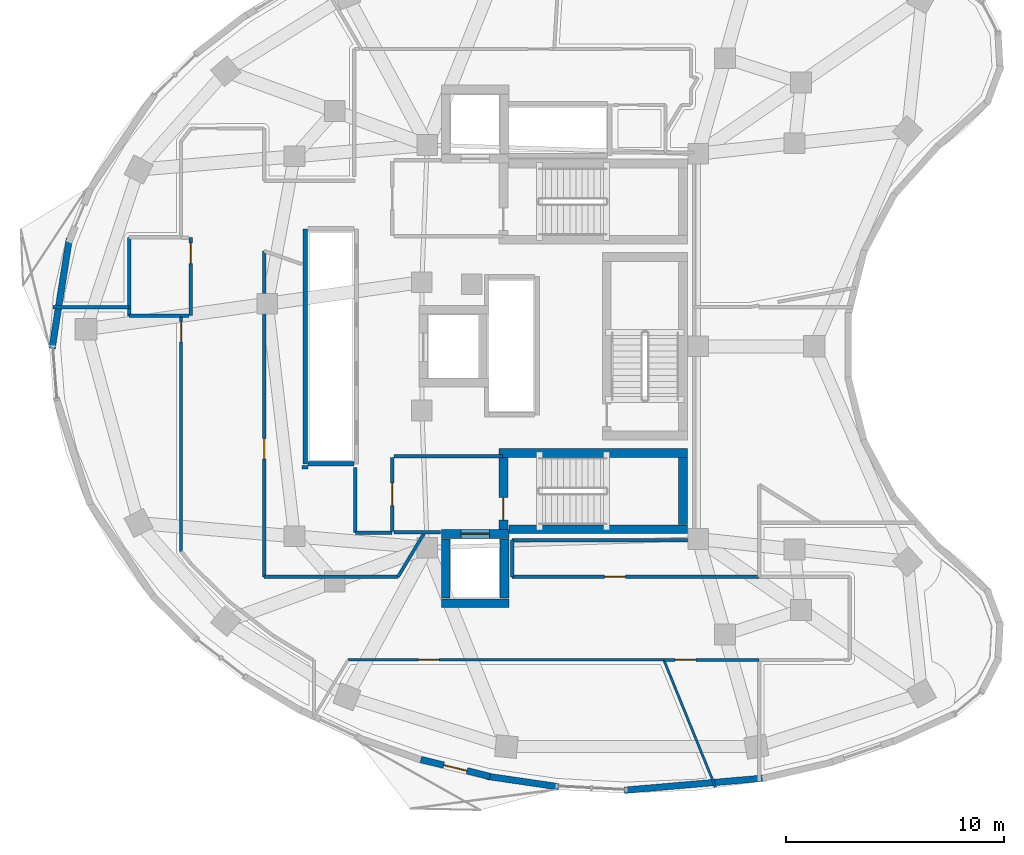
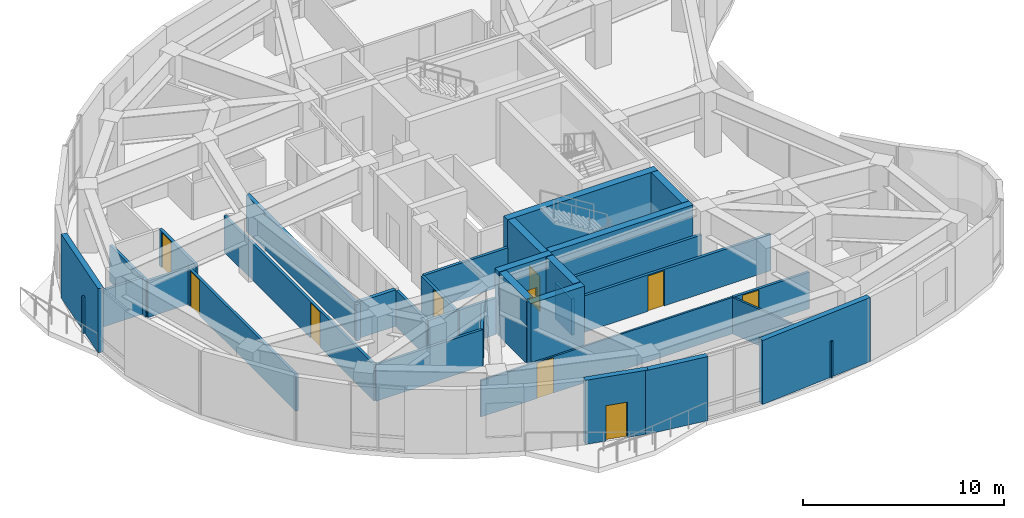
# One storey, part 6 of 12: 35 walls, 10 doors, 10 openings.
"""IFC4 building model written with IfcOpenShell, lengths in metres."""

from ifc_helpers import new_model, si_unit, direction, frame, frame_2d, origin, place, context, subcontext, project, spatial, rectangle, extrude, material, layer, layer_set, type_object, element, fill, save


model = new_model("IFC4")

# Units and contexts
model_context = context("Model", 3, precision=1e-05, world=origin(), true_north=direction((0.0, 1.0)))
body_context = subcontext(model_context, "Body", "Model", "MODEL_VIEW")
ifc_project = project(units=[si_unit("LENGTHUNIT", "METRE"), si_unit("AREAUNIT", "SQUARE_METRE"), si_unit("VOLUMEUNIT", "CUBIC_METRE"), si_unit("PLANEANGLEUNIT", "RADIAN"), si_unit("MASSUNIT", "GRAM", prefix="KILO")], contexts=[model_context])

# Site, building, storey
site_placement = place(None, origin())
site = spatial("IfcSite", under=ifc_project, at=site_placement, CompositionType="ELEMENT")
building_placement = place(site_placement, origin())
building = spatial("IfcBuilding", under=site, at=building_placement, Name="Korentha Bioscience Tower", CompositionType="ELEMENT")
storey_placement = place(building_placement, frame((0.0, 0.0, 196.199951171875)))
storey = spatial("IfcBuildingStorey", under=building, at=storey_placement, Name="L45", CompositionType="ELEMENT", Elevation=196.199951171875)

# Wall, opening, door
ifc_material_1 = material(Name="Double-Stud Acoustic Gypsum", Category="gypsum")
ifc_layer_1 = layer(ifc_material_1, 0.14990234375, Name="Double-Stud Acoustic Gypsum")
ifc_layer_set_1 = layer_set([ifc_layer_1], Name="Double-Stud Acoustic Gypsum (IW-L150)")
wall_type_1 = type_object("IfcWallType", Name="Acoustic Laboratory Partition Wall 150", PredefinedType="PARTITIONING", material=ifc_layer_set_1)
wall_1_placement = place(storey_placement, frame((13.7900390625, 28.389892578125, 0.0), z_axis=(0.0, 0.0, 1.0), x_axis=(0.0, -1.0, 0.0)))
wall_1 = element("IfcWall", 1, at=wall_1_placement, inside=storey, type_object=wall_type_1, Name="L45 Biomechanical Motion Analysis Lab 01 Entrance Wall", PredefinedType="PARTITIONING", context=body_context, shape_type="SweptSolid", body=[
    extrude(rectangle(XDim=10.807373046875, YDim=0.14990234375, at=frame_2d((5.40380859375, 0.0))), origin(), (0.0, 0.0, 1.0), 2.219970703125),
])
opening_1_placement = place(wall_1_placement, frame((0.239990234375, 0.0, 0.0)))
opening_1 = element("IfcOpeningElement", 2, at=opening_1_placement, cuts=wall_1, Name="Opening ID-10R", PredefinedType="OPENING", context=body_context, shape_type="SweptSolid", body=[
    extrude(rectangle(XDim=0.949951171875, YDim=2.14990234375, at=frame_2d((0.47509765625, 1.074951171875))), frame((0.0, 0.08984375, 0.0), z_axis=(0.0, -1.0, 0.0), x_axis=(1.0, 0.0, 0.0)), (0.0, 0.0, 1.0), 0.1796875),
])
ifc_material_2 = material(Name="Phenolic Laminate Timber Core", Category="wood")
door_type_1 = type_object("IfcDoorType", Name="Laboratory Single Leaf Door 950x2150 Right", OperationType="SINGLE_SWING_RIGHT", PredefinedType="DOOR", material=ifc_material_2)
door_1_placement = place(opening_1_placement, origin())
door_1 = element("IfcDoor", 3, at=door_1_placement, inside=storey, type_object=door_type_1, Name="L45 Biomechanical Motion Analysis Lab 01 Door", OperationType="SINGLE_SWING_RIGHT", OverallHeight=2.14990234375, OverallWidth=0.949951171875, PredefinedType="DOOR", context=body_context, shape_type="SweptSolid", body=[
    extrude(rectangle(XDim=0.949951171875, YDim=2.14990234375, at=frame_2d((0.47509765625, 1.074951171875))), frame((0.0, 0.02490234375, 0.0), z_axis=(0.0, -1.0, 0.0), x_axis=(1.0, 0.0, 0.0)), (0.0, 0.0, 1.0), 0.050048828125),
])
fill(opening_1, door_1)

wall_2_placement = place(storey_placement, frame((17.610107421875, 16.409912109375, 0.0), z_axis=(0.0, 0.0, 1.0), x_axis=(0.0, 1.0, 0.0)))
wall_2 = element("IfcWall", 4, at=wall_2_placement, inside=storey, type_object=wall_type_1, Name="L45 Principal Investigator Office 02 Entrance Wall", PredefinedType="PARTITIONING", context=body_context, shape_type="SweptSolid", body=[
    extrude(rectangle(XDim=14.968994140625, YDim=0.14990234375, at=frame_2d((7.484375, 0.0))), origin(), (0.0, 0.0, 1.0), 2.219970703125),
])
opening_2_placement = place(wall_2_placement, frame((5.40380859375, 0.0, 0.0)))
opening_2 = element("IfcOpeningElement", 5, at=opening_2_placement, cuts=wall_2, Name="Opening ID-10L", PredefinedType="OPENING", context=body_context, shape_type="SweptSolid", body=[
    extrude(rectangle(XDim=0.949951171875, YDim=2.14990234375, at=frame_2d((0.47509765625, 1.074951171875))), frame((0.0, 0.08984375, 0.0), z_axis=(0.0, -1.0, 0.0), x_axis=(1.0, 0.0, 0.0)), (0.0, 0.0, 1.0), 0.1796875),
])
door_type_2 = type_object("IfcDoorType", Name="Laboratory Single Leaf Door 950x2150 Left", OperationType="SINGLE_SWING_LEFT", PredefinedType="DOOR", material=ifc_material_2)
door_2_placement = place(opening_2_placement, origin())
door_2 = element("IfcDoor", 6, at=door_2_placement, inside=storey, type_object=door_type_2, Name="L45 Principal Investigator Office 02 Door", OperationType="SINGLE_SWING_LEFT", OverallHeight=2.14990234375, OverallWidth=0.949951171875, PredefinedType="DOOR", context=body_context, shape_type="SweptSolid", body=[
    extrude(rectangle(XDim=0.949951171875, YDim=2.14990234375, at=frame_2d((0.47509765625, 1.074951171875))), frame((0.0, 0.02490234375, 0.0), z_axis=(0.0, -1.0, 0.0), x_axis=(1.0, 0.0, 0.0)), (0.0, 0.0, 1.0), 0.050048828125),
])
fill(opening_2, door_2)

wall_3_placement = place(storey_placement, frame((35.980224609375, 12.590087890625, 0.0), z_axis=(0.0, 0.0, 1.0), x_axis=(1.0, 0.0, 0.0)))
wall_3 = element("IfcWall", 7, at=wall_3_placement, inside=storey, type_object=wall_type_1, Name="L45 Staff Pantry Kitchenette 04 Entrance Wall", PredefinedType="PARTITIONING", context=body_context, shape_type="SweptSolid", body=[
    extrude(rectangle(XDim=4.36767578125, YDim=0.14990234375, at=frame_2d((2.183837890625, 0.0))), origin(), (0.0, 0.0, 1.0), 2.219970703125),
])
opening_3_placement = place(wall_3_placement, frame((0.50830078125, 0.0, 0.0)))
opening_3 = element("IfcOpeningElement", 8, at=opening_3_placement, cuts=wall_3, Name="Opening ID-10L", PredefinedType="OPENING", context=body_context, shape_type="SweptSolid", body=[
    extrude(rectangle(XDim=0.949951171875, YDim=2.14990234375, at=frame_2d((0.47509765625, 1.074951171875))), frame((0.0, 0.08984375, 0.0), z_axis=(0.0, -1.0, 0.0), x_axis=(1.0, 0.0, 0.0)), (0.0, 0.0, 1.0), 0.1796875),
])
door_3_placement = place(opening_3_placement, origin())
door_3 = element("IfcDoor", 9, at=door_3_placement, inside=storey, type_object=door_type_2, Name="L45 Staff Pantry Kitchenette 04 Door", OperationType="SINGLE_SWING_LEFT", OverallHeight=2.14990234375, OverallWidth=0.949951171875, PredefinedType="DOOR", context=body_context, shape_type="SweptSolid", body=[
    extrude(rectangle(XDim=0.949951171875, YDim=2.14990234375, at=frame_2d((0.47509765625, 1.074951171875))), frame((0.0, 0.02490234375, 0.0), z_axis=(0.0, -1.0, 0.0), x_axis=(1.0, 0.0, 0.0)), (0.0, 0.0, 1.0), 0.050048828125),
])
fill(opening_3, door_3)

# Walls
wall_4_placement = place(storey_placement, frame((7.897705078125, 28.798095703125, 0.0), z_axis=(0.0, 0.0, 1.0), x_axis=(1.0, 0.0, 0.0)))
element("IfcWall", 10, at=wall_4_placement, inside=storey, type_object=wall_type_1, Name="L45 Interior Partition 019", PredefinedType="PARTITIONING", context=body_context, shape_type="SweptSolid", body=[
    extrude(rectangle(XDim=3.4921875, YDim=0.14990234375, at=frame_2d((1.74609375, 0.0))), origin(), (0.0, 0.0, 1.0), 2.219970703125),
])
wall_5_placement = place(storey_placement, frame((19.35009765625, 21.43994140625, 0.0), z_axis=(0.0, 0.0, 1.0), x_axis=(1.0, 0.0, 0.0)))
element("IfcWall", 11, at=wall_5_placement, inside=storey, type_object=wall_type_1, Name="L45 Interior Partition 025", PredefinedType="PARTITIONING", context=body_context, shape_type="SweptSolid", body=[
    extrude(rectangle(XDim=0.27001953125, YDim=0.14990234375, at=frame_2d((0.135009765625, 0.0))), origin(), (0.0, 0.0, 1.0), 2.219970703125),
])
wall_6_placement = place(storey_placement, frame((21.7900390625, 21.43994140625, 0.0), z_axis=(0.0, 0.0, 1.0), x_axis=(0.0, -1.0, 0.0)))
element("IfcWall", 12, at=wall_6_placement, inside=storey, type_object=wall_type_1, Name="L45 Interior Partition 026", PredefinedType="PARTITIONING", context=body_context, shape_type="SweptSolid", body=[
    extrude(rectangle(XDim=2.989990234375, YDim=0.14990234375, at=frame_2d((1.4951171875, 0.0))), origin(), (0.0, 0.0, 1.0), 2.219970703125),
])
wall_7_placement = place(storey_placement, frame((21.800048828125, 18.43994140625, 0.0), z_axis=(0.0, 0.0, 1.0), x_axis=(1.0, 0.0, 0.0)))
element("IfcWall", 13, at=wall_7_placement, inside=storey, type_object=wall_type_1, Name="L45 Interior Partition 027", PredefinedType="PARTITIONING", context=body_context, shape_type="SweptSolid", body=[
    extrude(rectangle(XDim=1.68994140625, YDim=0.14990234375, at=frame_2d((0.844970703125, 0.0))), origin(), (0.0, 0.0, 1.0), 2.219970703125),
])
wall_8_placement = place(storey_placement, frame((24.974609375, 18.43994140625, 0.0), z_axis=(0.0, 0.0, 1.0), x_axis=(-0.515026255496, -0.857174402412, 0.0)))
element("IfcWall", 14, at=wall_8_placement, inside=storey, type_object=wall_type_1, Name="L45 Interior Partition 028", PredefinedType="PARTITIONING", context=body_context, shape_type="SweptSolid", body=[
    extrude(rectangle(XDim=2.3681640625, YDim=0.14990234375, at=frame_2d((1.18408203125, 0.0))), origin(), (0.0, 0.0, 1.0), 2.219970703125),
])
wall_9_placement = place(storey_placement, frame((23.7548828125, 16.409912109375, 0.0), z_axis=(0.0, 0.0, 1.0), x_axis=(-1.0, 0.0, 0.0)))
element("IfcWall", 15, at=wall_9_placement, inside=storey, type_object=wall_type_1, Name="L45 Interior Partition 029", PredefinedType="PARTITIONING", context=body_context, shape_type="SweptSolid", body=[
    extrude(rectangle(XDim=6.144775390625, YDim=0.14990234375, at=frame_2d((3.072265625, 0.0))), origin(), (0.0, 0.0, 1.0), 2.219970703125),
])

# Wall, opening, door
ifc_material_3 = material(Name="Fire-Rated Framed Glass", Category="glass")
ifc_layer_2 = layer(ifc_material_3, 0.110107421875, Name="Fire-Rated Framed Glass")
ifc_layer_set_2 = layer_set([ifc_layer_2], Name="Fire-Rated Framed Glass (IW-G110)")
wall_type_2 = type_object("IfcWallType", Name="Demountable Glazed Office Partition 110", PredefinedType="MOVABLE", material=ifc_layer_set_2)
wall_10_placement = place(storey_placement, frame((21.46435546875, 12.590087890625, 0.0), z_axis=(0.0, 0.0, 1.0), x_axis=(1.0, 0.0, 0.0)))
wall_10 = element("IfcWall", 16, at=wall_10_placement, inside=storey, type_object=wall_type_2, Name="L45 Research Colloquium Seminar Room 03 Entrance Wall", PredefinedType="MOVABLE", context=body_context, shape_type="SweptSolid", body=[
    extrude(rectangle(XDim=14.505126953125, YDim=0.110107421875, at=frame_2d((7.25244140625, 0.0))), origin(), (0.0, 0.0, 1.0), 2.219970703125),
])
opening_4_placement = place(wall_10_placement, frame((3.227783203125, 0.0, 0.0)))
opening_4 = element("IfcOpeningElement", 17, at=opening_4_placement, cuts=wall_10, Name="Opening ID-10R", PredefinedType="OPENING", context=body_context, shape_type="SweptSolid", body=[
    extrude(rectangle(XDim=0.949951171875, YDim=2.14990234375, at=frame_2d((0.47509765625, 1.074951171875))), frame((0.0, 0.06982421875, 0.0), z_axis=(0.0, -1.0, 0.0), x_axis=(1.0, 0.0, 0.0)), (0.0, 0.0, 1.0), 0.139892578125),
])
door_4_placement = place(opening_4_placement, origin())
door_4 = element("IfcDoor", 18, at=door_4_placement, inside=storey, type_object=door_type_1, Name="L45 Research Colloquium Seminar Room 03 Door", OperationType="SINGLE_SWING_RIGHT", OverallHeight=2.14990234375, OverallWidth=0.949951171875, PredefinedType="DOOR", context=body_context, shape_type="SweptSolid", body=[
    extrude(rectangle(XDim=0.949951171875, YDim=2.14990234375, at=frame_2d((0.47509765625, 1.074951171875))), frame((0.0, 0.02490234375, 0.0), z_axis=(0.0, -1.0, 0.0), x_axis=(1.0, 0.0, 0.0)), (0.0, 0.0, 1.0), 0.050048828125),
])
fill(opening_4, door_4)

# Wall
wall_11_placement = place(storey_placement, frame((35.969482421875, 12.590087890625, 0.0), z_axis=(0.0, 0.0, 1.0), x_axis=(0.376224407508, -0.92652857225, 0.0)))
element("IfcWall", 19, at=wall_11_placement, inside=storey, type_object=wall_type_2, Name="L45 Interior Partition 032", PredefinedType="MOVABLE", context=body_context, shape_type="SweptSolid", body=[
    extrude(rectangle(XDim=6.306884765625, YDim=0.110107421875, at=frame_2d((3.1533203125, 0.0))), origin(), (0.0, 0.0, 1.0), 2.219970703125),
])

# Wall, opening, door
ifc_material_4 = material(Name="Gypsum-Clad Steel Stud", Category="steel")
ifc_layer_3 = layer(ifc_material_4, 0.159912109375, Name="Gypsum-Clad Steel Stud")
ifc_layer_set_3 = layer_set([ifc_layer_3], Name="Gypsum-Clad Steel Stud (IW-C160)")
wall_type_3 = type_object("IfcWallType", Name="Fire-Rated Corridor Partition Wall 160", PredefinedType="PARTITIONING", material=ifc_layer_set_3)
wall_12_placement = place(storey_placement, frame((23.5, 18.5, 0.0), z_axis=(0.0, 0.0, 1.0), x_axis=(0.0, 1.0, 0.0)))
wall_12 = element("IfcWall", 20, at=wall_12_placement, inside=storey, type_object=wall_type_3, Name="L45 FFLS-CW Rated Enclosure Wall", PredefinedType="PARTITIONING", context=body_context, shape_type="SweptSolid", body=[
    extrude(rectangle(XDim=3.39990234375, YDim=0.159912109375, at=frame_2d((1.699951171875, 0.0))), origin(), (0.0, 0.0, 1.0), 2.219970703125),
])
opening_5_placement = place(wall_12_placement, frame((1.175048828125, 0.0, 0.0)))
opening_5 = element("IfcOpeningElement", 21, at=opening_5_placement, cuts=wall_12, Name="Opening FD-90R", PredefinedType="OPENING", context=body_context, shape_type="SweptSolid", body=[
    extrude(rectangle(XDim=1.050048828125, YDim=2.14990234375, at=frame_2d((0.52490234375, 1.074951171875))), frame((0.0, 0.0947265625, 0.0), z_axis=(0.0, -1.0, 0.0), x_axis=(1.0, 0.0, 0.0)), (0.0, 0.0, 1.0), 0.189697265625),
])
ifc_material_5 = material(Name="Powder-Coated Fire-Rated Steel", Category="steel")
door_type_3 = type_object("IfcDoorType", Name="Stairwell Fire Exit Door 1050x2150 Right", OperationType="SINGLE_SWING_RIGHT", PredefinedType="DOOR", material=ifc_material_5)
door_5_placement = place(opening_5_placement, origin())
door_5 = element("IfcDoor", 22, at=door_5_placement, inside=storey, type_object=door_type_3, Name="L45 South Firefighting Lobby Door", OperationType="SINGLE_SWING_RIGHT", OverallHeight=2.14990234375, OverallWidth=1.050048828125, PredefinedType="DOOR", context=body_context, shape_type="SweptSolid", body=[
    extrude(rectangle(XDim=1.050048828125, YDim=2.14990234375, at=frame_2d((0.52490234375, 1.074951171875))), frame((0.0, 0.02490234375, 0.0), z_axis=(0.0, -1.0, 0.0), x_axis=(1.0, 0.0, 0.0)), (0.0, 0.0, 1.0), 0.050048828125),
])
fill(opening_5, door_5)

# Walls
wall_13_placement = place(storey_placement, frame((23.580078125, 21.949951171875, 0.0), z_axis=(0.0, 0.0, 1.0), x_axis=(1.0, 0.0, 0.0)))
element("IfcWall", 23, at=wall_13_placement, inside=storey, type_object=wall_type_3, Name="L45 Firefighting Lobby Return Wall FFLS-N", PredefinedType="PARTITIONING", context=body_context, shape_type="SweptSolid", body=[
    extrude(rectangle(XDim=4.969970703125, YDim=0.159912109375, at=frame_2d((2.48486328125, 0.0))), origin(), (0.0, 0.0, 1.0), 2.219970703125),
])
wall_14_placement = place(storey_placement, frame((23.580078125, 18.449951171875, 0.0), z_axis=(0.0, 0.0, 1.0), x_axis=(1.0, 0.0, 0.0)))
element("IfcWall", 24, at=wall_14_placement, inside=storey, type_object=wall_type_3, Name="L45 Firefighting Lobby Return Wall FFLS-S", PredefinedType="PARTITIONING", context=body_context, shape_type="SweptSolid", body=[
    extrude(rectangle(XDim=2.119873046875, YDim=0.159912109375, at=frame_2d((1.06005859375, 0.0))), origin(), (0.0, 0.0, 1.0), 2.219970703125),
])

# Wall, opening, door
wall_15_placement = place(storey_placement, frame((14.239990234375, 31.989990234375, 0.0), z_axis=(0.0, 0.0, 1.0), x_axis=(0.0, -1.0, 0.0)))
wall_15 = element("IfcWall", 25, at=wall_15_placement, inside=storey, type_object=wall_type_3, Name="L45 Reclaimed Bank-1 North Data Closet Entrance Wall", PredefinedType="PARTITIONING", context=body_context, shape_type="SweptSolid", body=[
    extrude(rectangle(XDim=3.580078125, YDim=0.159912109375, at=frame_2d((1.7900390625, 0.0))), origin(), (0.0, 0.0, 1.0), 2.219970703125),
])
opening_6_placement = place(wall_15_placement, frame((0.239990234375, 0.0, 0.0)))
opening_6 = element("IfcOpeningElement", 26, at=opening_6_placement, cuts=wall_15, Name="Opening ID-10L", PredefinedType="OPENING", context=body_context, shape_type="SweptSolid", body=[
    extrude(rectangle(XDim=0.949951171875, YDim=2.14990234375, at=frame_2d((0.47509765625, 1.074951171875))), frame((0.0, 0.0947265625, 0.0), z_axis=(0.0, -1.0, 0.0), x_axis=(1.0, 0.0, 0.0)), (0.0, 0.0, 1.0), 0.189697265625),
])
door_6_placement = place(opening_6_placement, origin())
door_6 = element("IfcDoor", 27, at=door_6_placement, inside=storey, type_object=door_type_2, Name="L45 Reclaimed Bank-1 North Data Closet Door", OperationType="SINGLE_SWING_LEFT", OverallHeight=2.14990234375, OverallWidth=0.949951171875, PredefinedType="DOOR", context=body_context, shape_type="SweptSolid", body=[
    extrude(rectangle(XDim=0.949951171875, YDim=2.14990234375, at=frame_2d((0.47509765625, 1.074951171875))), frame((0.0, 0.02490234375, 0.0), z_axis=(0.0, -1.0, 0.0), x_axis=(1.0, 0.0, 0.0)), (0.0, 0.0, 1.0), 0.050048828125),
])
fill(opening_6, door_6)

wall_16_placement = place(storey_placement, frame((40.342041015625, 16.409912109375, 0.0), z_axis=(0.0, 0.0, 1.0), x_axis=(-1.0, 0.0, 0.0)))
wall_16 = element("IfcWall", 28, at=wall_16_placement, inside=storey, type_object=wall_type_3, Name="L45 Cryogenic Dewar Supply Store 06 Entrance Wall", PredefinedType="PARTITIONING", context=body_context, shape_type="SweptSolid", body=[
    extrude(rectangle(XDim=11.342041015625, YDim=0.159912109375, at=frame_2d((5.6708984375, 0.0))), origin(), (0.0, 0.0, 1.0), 2.219970703125),
])
opening_7_placement = place(wall_16_placement, frame((6.1396484375, 0.0, 0.0)))
opening_7 = element("IfcOpeningElement", 29, at=opening_7_placement, cuts=wall_16, Name="Opening ID-10L", PredefinedType="OPENING", context=body_context, shape_type="SweptSolid", body=[
    extrude(rectangle(XDim=0.949951171875, YDim=2.14990234375, at=frame_2d((0.47509765625, 1.074951171875))), frame((0.0, 0.0947265625, 0.0), z_axis=(0.0, -1.0, 0.0), x_axis=(1.0, 0.0, 0.0)), (0.0, 0.0, 1.0), 0.189697265625),
])
door_7_placement = place(opening_7_placement, origin())
door_7 = element("IfcDoor", 30, at=door_7_placement, inside=storey, type_object=door_type_2, Name="L45 Cryogenic Dewar Supply Store 06 Door", OperationType="SINGLE_SWING_LEFT", OverallHeight=2.14990234375, OverallWidth=0.949951171875, PredefinedType="DOOR", context=body_context, shape_type="SweptSolid", body=[
    extrude(rectangle(XDim=0.949951171875, YDim=2.14990234375, at=frame_2d((0.47509765625, 1.074951171875))), frame((0.0, 0.02490234375, 0.0), z_axis=(0.0, -1.0, 0.0), x_axis=(1.0, 0.0, 0.0)), (0.0, 0.0, 1.0), 0.050048828125),
])
fill(opening_7, door_7)

# Walls
wall_17_placement = place(storey_placement, frame((14.156982421875, 28.409912109375, 0.0), z_axis=(0.0, 0.0, 1.0), x_axis=(-1.0, 0.0, 0.0)))
element("IfcWall", 31, at=wall_17_placement, inside=storey, type_object=wall_type_3, Name="L45 Interior Partition 015", PredefinedType="PARTITIONING", context=body_context, shape_type="SweptSolid", body=[
    extrude(rectangle(XDim=0.35693359375, YDim=0.159912109375, at=frame_2d((0.178466796875, 0.0))), origin(), (0.0, 0.0, 1.0), 2.219970703125),
])
wall_18_placement = place(storey_placement, frame((13.7900390625, 28.39990234375, 0.0), z_axis=(0.0, 0.0, 1.0), x_axis=(-1.0, 0.0, 0.0)))
element("IfcWall", 32, at=wall_18_placement, inside=storey, type_object=wall_type_3, Name="L45 Interior Partition 016", PredefinedType="PARTITIONING", context=body_context, shape_type="SweptSolid", body=[
    extrude(rectangle(XDim=2.39013671875, YDim=0.159912109375, at=frame_2d((1.195068359375, 0.0))), origin(), (0.0, 0.0, 1.0), 2.219970703125),
])
wall_19_placement = place(storey_placement, frame((11.39990234375, 28.39990234375, 0.0), z_axis=(0.0, 0.0, 1.0), x_axis=(0.0, 1.0, 0.0)))
element("IfcWall", 33, at=wall_19_placement, inside=storey, type_object=wall_type_3, Name="L45 Interior Partition 017", PredefinedType="PARTITIONING", context=body_context, shape_type="SweptSolid", body=[
    extrude(rectangle(XDim=3.60009765625, YDim=0.159912109375, at=frame_2d((1.800048828125, 0.0))), origin(), (0.0, 0.0, 1.0), 2.219970703125),
])
wall_20_placement = place(storey_placement, frame((29.0, 18.090087890625, 0.0), z_axis=(0.0, 0.0, 1.0), x_axis=(1.0, 0.0, 0.0)))
element("IfcWall", 34, at=wall_20_placement, inside=storey, type_object=wall_type_3, Name="L45 Interior Partition 039", PredefinedType="PARTITIONING", context=body_context, shape_type="SweptSolid", body=[
    extrude(rectangle(XDim=8.35009765625, YDim=0.159912109375, at=frame_2d((4.175048828125, 0.0))), origin(), (0.0, 0.0, 1.0), 2.219970703125),
])
wall_21_placement = place(storey_placement, frame((29.0, 16.409912109375, 0.0), z_axis=(0.0, 0.0, 1.0), x_axis=(0.0, 1.0, 0.0)))
element("IfcWall", 35, at=wall_21_placement, inside=storey, type_object=wall_type_3, Name="L45 Interior Partition 046", PredefinedType="PARTITIONING", context=body_context, shape_type="SweptSolid", body=[
    extrude(rectangle(XDim=1.68017578125, YDim=0.159912109375, at=frame_2d((0.840087890625, 0.0))), origin(), (0.0, 0.0, 1.0), 2.219970703125),
])

# Wall, opening, door
ifc_material_6 = material(Name="Honed Limestone Precast Concrete C40", Category="masonry")
ifc_layer_4 = layer(ifc_material_6, 0.300048828125, Name="Honed Limestone Precast Concrete C40")
ifc_layer_set_4 = layer_set([ifc_layer_4], Name="Honed Limestone Precast Concrete C40 (EW-ST300)")
wall_type_4 = type_object("IfcWallType", Name="Honed Limestone Cavity Spandrel Wall 300", PredefinedType="STANDARD", material=ifc_layer_set_4)
wall_22_placement = place(storey_placement, frame((24.806640625, 8.015625, 0.0), z_axis=(0.0, 0.0, 1.0), x_axis=(0.971312804689, -0.237805457142, 0.0)))
wall_22 = element("IfcWall", 36, at=wall_22_placement, inside=storey, type_object=wall_type_4, Name="L45 Balcony Threshold Wall 03", PredefinedType="STANDARD", context=body_context, shape_type="SweptSolid", body=[
    extrude(rectangle(XDim=3.268798828125, YDim=0.300048828125, at=frame_2d((1.63427734375, 0.0))), origin(), (0.0, 0.0, 1.0), 3.900146484375),
])
opening_8_placement = place(wall_22_placement, frame((1.08447265625, 0.0, 0.0)))
opening_8 = element("IfcOpeningElement", 37, at=opening_8_placement, cuts=wall_22, Name="Opening BD-11L", PredefinedType="OPENING", context=body_context, shape_type="SweptSolid", body=[
    extrude(rectangle(XDim=1.10009765625, YDim=2.14990234375, at=frame_2d((0.550048828125, 1.074951171875))), frame((0.0, 0.1650390625, 0.0), z_axis=(0.0, -1.0, 0.0), x_axis=(1.0, 0.0, 0.0)), (0.0, 0.0, 1.0), 0.329833984375),
])
ifc_material_7 = material(Name="Thermally Broken Glazed Aluminium", Category="aluminium")
door_type_4 = type_object("IfcDoorType", Name="Balcony Terrace Glazed Door 1100x2150 Left", OperationType="SINGLE_SWING_LEFT", PredefinedType="DOOR", material=ifc_material_7)
door_8_placement = place(opening_8_placement, origin())
door_8 = element("IfcDoor", 38, at=door_8_placement, inside=storey, type_object=door_type_4, Name="L45 Balcony Access Door 03", OperationType="SINGLE_SWING_LEFT", OverallHeight=2.14990234375, OverallWidth=1.10009765625, PredefinedType="DOOR", context=body_context, shape_type="SweptSolid", body=[
    extrude(rectangle(XDim=1.10009765625, YDim=2.14990234375, at=frame_2d((0.550048828125, 1.074951171875))), frame((0.0, 0.02490234375, 0.0), z_axis=(0.0, -1.0, 0.0), x_axis=(1.0, 0.0, 0.0)), (0.0, 0.0, 1.0), 0.050048828125),
])
fill(opening_8, door_8)

# Walls
wall_23_placement = place(storey_placement, frame((8.6552734375, 31.947021484375, 0.0), z_axis=(0.0, 0.0, 1.0), x_axis=(-0.155280464429, -0.987870425393, 0.0)))
element("IfcWall", 39, at=wall_23_placement, inside=storey, type_object=wall_type_4, Name="L45 Limestone Perimeter Closure Wall 17", PredefinedType="STANDARD", context=body_context, shape_type="SweptSolid", body=[
    extrude(rectangle(XDim=5.10986328125, YDim=0.300048828125, at=frame_2d((2.554931640625, 0.0))), origin(), (0.0, 0.0, 1.0), 3.900146484375),
])
wall_24_placement = place(storey_placement, frame((27.826416015625, 7.247314453125, 0.0), z_axis=(0.0, 0.0, 1.0), x_axis=(0.98945927954, -0.144811374319, 0.0)))
element("IfcWall", 40, at=wall_24_placement, inside=storey, type_object=wall_type_4, Name="L45 Limestone Perimeter Closure Wall 30", PredefinedType="STANDARD", context=body_context, shape_type="SweptSolid", body=[
    extrude(rectangle(XDim=3.346435546875, YDim=0.300048828125, at=frame_2d((1.67333984375, 0.0))), origin(), (0.0, 0.0, 1.0), 3.900146484375),
])
wall_25_placement = place(storey_placement, frame((34.14892578125, 6.601318359375, 0.0), z_axis=(0.0, 0.0, 1.0), x_axis=(0.996255675021, 0.086455942472, 0.0)))
element("IfcWall", 41, at=wall_25_placement, inside=storey, type_object=wall_type_4, Name="L45 Limestone Perimeter Closure Wall 32", PredefinedType="STANDARD", context=body_context, shape_type="SweptSolid", body=[
    extrude(rectangle(XDim=6.55126953125, YDim=0.300048828125, at=frame_2d((3.275634765625, 0.0))), origin(), (0.0, 0.0, 1.0), 3.900146484375),
])
ifc_material_8 = material(Name="Autoclaved Aerated Concrete Block C25", Category="concrete")
ifc_layer_5 = layer(ifc_material_8, 0.199951171875, Name="Autoclaved Aerated Concrete Block C25")
ifc_layer_set_5 = layer_set([ifc_layer_5], Name="Autoclaved Aerated Concrete Block C25 (IW-S200)")
wall_type_5 = type_object("IfcWallType", Name="Lift and Riser Shaft Enclosure Wall 200", PredefinedType="PARTITIONING", material=ifc_layer_set_5)
wall_26_placement = place(storey_placement, frame((19.5, 21.60009765625, 0.0), z_axis=(0.0, 0.0, 1.0), x_axis=(0.0, 1.0, 0.0)))
element("IfcWall", 42, at=wall_26_placement, inside=storey, type_object=wall_type_5, Name="L45 Lift Bank MID Shaft Wall -X", PredefinedType="PARTITIONING", context=body_context, shape_type="SweptSolid", body=[
    extrude(rectangle(XDim=10.7998046875, YDim=0.199951171875, at=frame_2d((5.39990234375, 0.0))), origin(), (0.0, 0.0, 1.0), 2.219970703125),
])
wall_27_placement = place(storey_placement, frame((19.6201171875, 21.60009765625, 0.0), z_axis=(0.0, 0.0, 1.0), x_axis=(1.0, 0.0, 0.0)))
element("IfcWall", 43, at=wall_27_placement, inside=storey, type_object=wall_type_5, Name="L45 Lift Bank MID Shaft Wall -Y", PredefinedType="PARTITIONING", context=body_context, shape_type="SweptSolid", body=[
    extrude(rectangle(XDim=2.10986328125, YDim=0.199951171875, at=frame_2d((1.054931640625, 0.0))), origin(), (0.0, 0.0, 1.0), 2.219970703125),
])
ifc_material_9 = material(Name="Concrete C65", Category="concrete")
ifc_layer_6 = layer(ifc_material_9, 0.39990234375, Name="Concrete C65")
ifc_layer_set_6 = layer_set([ifc_layer_6], Name="Concrete C65 (CW-C65)")
wall_type_6 = type_object("IfcWallType", Name="Mid-Rise Core Shear Wall 400", PredefinedType="SHEAR", material=ifc_layer_set_6)
wall_28_placement = place(storey_placement, frame((28.85205078125, 18.60009765625, 0.0), z_axis=(0.0, 0.0, 1.0), x_axis=(1.0, 0.0, 0.0)))
element("IfcWall", 44, at=wall_28_placement, inside=storey, type_object=wall_type_6, Name="L45 Core Shear Wall ST2-S", PredefinedType="SHEAR", context=body_context, shape_type="SweptSolid", body=[
    extrude(rectangle(XDim=8.197998046875, YDim=0.39990234375, at=frame_2d((4.09912109375, 0.0))), origin(), (0.0, 0.0, 1.0), 3.900146484375),
])
wall_29_placement = place(storey_placement, frame((28.39990234375, 22.10009765625, 0.0), z_axis=(0.0, 0.0, 1.0), x_axis=(1.0, 0.0, 0.0)))
element("IfcWall", 45, at=wall_29_placement, inside=storey, type_object=wall_type_6, Name="L45 Core Shear Wall ST2-N", PredefinedType="SHEAR", context=body_context, shape_type="SweptSolid", body=[
    extrude(rectangle(XDim=8.650146484375, YDim=0.39990234375, at=frame_2d((4.3251953125, 0.0))), origin(), (0.0, 0.0, 1.0), 3.900146484375),
])
wall_30_placement = place(storey_placement, frame((36.85009765625, 18.81005859375, 0.0), z_axis=(0.0, 0.0, 1.0), x_axis=(0.0, 1.0, 0.0)))
element("IfcWall", 46, at=wall_30_placement, inside=storey, type_object=wall_type_6, Name="L45 Core Shear Wall ST2-E", PredefinedType="SHEAR", context=body_context, shape_type="SweptSolid", body=[
    extrude(rectangle(XDim=3.079833984375, YDim=0.39990234375, at=frame_2d((1.5400390625, 0.0))), origin(), (0.0, 0.0, 1.0), 3.900146484375),
])

# Wall, opening, door
wall_31_placement = place(storey_placement, frame((28.60009765625, 18.58203125, 0.0), z_axis=(0.0, 0.0, 1.0), x_axis=(0.0, 1.0, 0.0)))
wall_31 = element("IfcWall", 47, at=wall_31_placement, inside=storey, type_object=wall_type_6, Name="L45 Core Shear Wall ST2-W", PredefinedType="SHEAR", context=body_context, shape_type="SweptSolid", body=[
    extrude(rectangle(XDim=3.307861328125, YDim=0.39990234375, at=frame_2d((1.65380859375, 0.0))), origin(), (0.0, 0.0, 1.0), 3.900146484375),
])
opening_9_placement = place(wall_31_placement, frame((0.427978515625, 0.0, 0.0)))
opening_9 = element("IfcOpeningElement", 48, at=opening_9_placement, cuts=wall_31, Name="Opening FD-90R", PredefinedType="OPENING", context=body_context, shape_type="SweptSolid", body=[
    extrude(rectangle(XDim=1.050048828125, YDim=2.14990234375, at=frame_2d((0.52490234375, 1.074951171875))), frame((0.0, 0.21484375, 0.0), z_axis=(0.0, -1.0, 0.0), x_axis=(1.0, 0.0, 0.0)), (0.0, 0.0, 1.0), 0.4296875),
])
door_9_placement = place(opening_9_placement, origin())
door_9 = element("IfcDoor", 49, at=door_9_placement, inside=storey, type_object=door_type_3, Name="L45 ST-2 Fire Exit Stair Door", OperationType="SINGLE_SWING_RIGHT", OverallHeight=2.14990234375, OverallWidth=1.050048828125, PredefinedType="DOOR", context=body_context, shape_type="SweptSolid", body=[
    extrude(rectangle(XDim=1.050048828125, YDim=2.14990234375, at=frame_2d((0.52490234375, 1.074951171875))), frame((0.0, 0.02490234375, 0.0), z_axis=(0.0, -1.0, 0.0), x_axis=(1.0, 0.0, 0.0)), (0.0, 0.0, 1.0), 0.050048828125),
])
fill(opening_9, door_9)

# Wall
wall_32_placement = place(storey_placement, frame((25.75, 15.199951171875, 0.0), z_axis=(0.0, 0.0, 1.0), x_axis=(1.0, 0.0, 0.0)))
element("IfcWall", 50, at=wall_32_placement, inside=storey, type_object=wall_type_6, Name="L45 Core Shear Wall FFL1-S", PredefinedType="SHEAR", context=body_context, shape_type="SweptSolid", body=[
    extrude(rectangle(XDim=3.10009765625, YDim=0.39990234375, at=frame_2d((1.550048828125, 0.0))), origin(), (0.0, 0.0, 1.0), 3.900146484375),
])

# Wall, opening, door
wall_33_placement = place(storey_placement, frame((25.75, 18.3798828125, 0.0), z_axis=(0.0, 0.0, 1.0), x_axis=(1.0, 0.0, 0.0)))
wall_33 = element("IfcWall", 51, at=wall_33_placement, inside=storey, type_object=wall_type_6, Name="L45 Core Shear Wall FFL1-N", PredefinedType="SHEAR", context=body_context, shape_type="SweptSolid", body=[
    extrude(rectangle(XDim=3.10009765625, YDim=0.39990234375, at=frame_2d((1.550048828125, 0.0))), origin(), (0.0, 0.0, 1.0), 3.900146484375),
])
opening_10_placement = place(wall_33_placement, frame((0.89990234375, 0.0, 0.0)))
opening_10 = element("IfcOpeningElement", 52, at=opening_10_placement, cuts=wall_33, Name="Opening LD-13", PredefinedType="OPENING", context=body_context, shape_type="SweptSolid", body=[
    extrude(rectangle(XDim=1.300048828125, YDim=2.199951171875, at=frame_2d((0.64990234375, 1.10009765625))), frame((0.0, 0.21484375, 0.0), z_axis=(0.0, -1.0, 0.0), x_axis=(1.0, 0.0, 0.0)), (0.0, 0.0, 1.0), 0.4296875),
])
ifc_material_10 = material(Name="Brushed Stainless Steel 316", Category="steel")
door_type_5 = type_object("IfcDoorType", Name="Service & Firefighting Lift Landing Door 1300x2300", OperationType="DOUBLE_DOOR_SLIDING", PredefinedType="DOOR", material=ifc_material_10)
door_10_placement = place(opening_10_placement, origin())
door_10 = element("IfcDoor", 53, at=door_10_placement, inside=storey, type_object=door_type_5, Name="L45 FFL-1 Sliding Lift Landing Door", OperationType="DOUBLE_DOOR_SLIDING", OverallHeight=2.199951171875, OverallWidth=1.300048828125, PredefinedType="DOOR", context=body_context, shape_type="SweptSolid", body=[
    extrude(rectangle(XDim=1.300048828125, YDim=2.199951171875, at=frame_2d((0.64990234375, 1.10009765625))), frame((0.0, 0.02490234375, 0.0), z_axis=(0.0, -1.0, 0.0), x_axis=(1.0, 0.0, 0.0)), (0.0, 0.0, 1.0), 0.050048828125),
])
fill(opening_10, door_10)

# Walls
for number, where, z_axis, x_axis, name in (
    (54, (25.949951171875, 15.43994140625, 0.0), (0.0, 0.0, 1.0), (0.0, 1.0, 0.0), "L45 Core Shear Wall FFL1-W"),
    (55, (28.64990234375, 15.43994140625, 0.0), (0.0, 0.0, 1.0), (0.0, 1.0, 0.0), "L45 Core Shear Wall FFL1-E"),
):
    element("IfcWall", number, at=place(storey_placement, frame(where, z_axis=z_axis, x_axis=x_axis)), inside=storey, type_object=wall_type_6, Name=name, PredefinedType="SHEAR", context=body_context, shape_type="SweptSolid", body=[
        extrude(rectangle(XDim=2.699951171875, YDim=0.39990234375, at=frame_2d((1.35009765625, 0.0))), origin(), (0.0, 0.0, 1.0), 3.900146484375),
    ])

save(model, "model.ifc")
